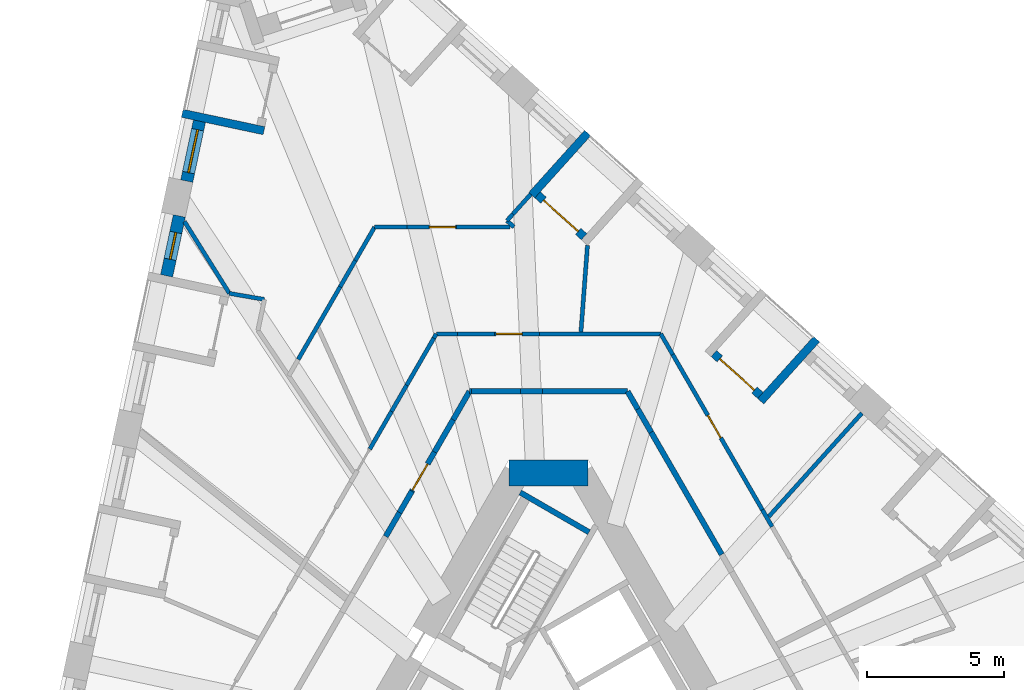
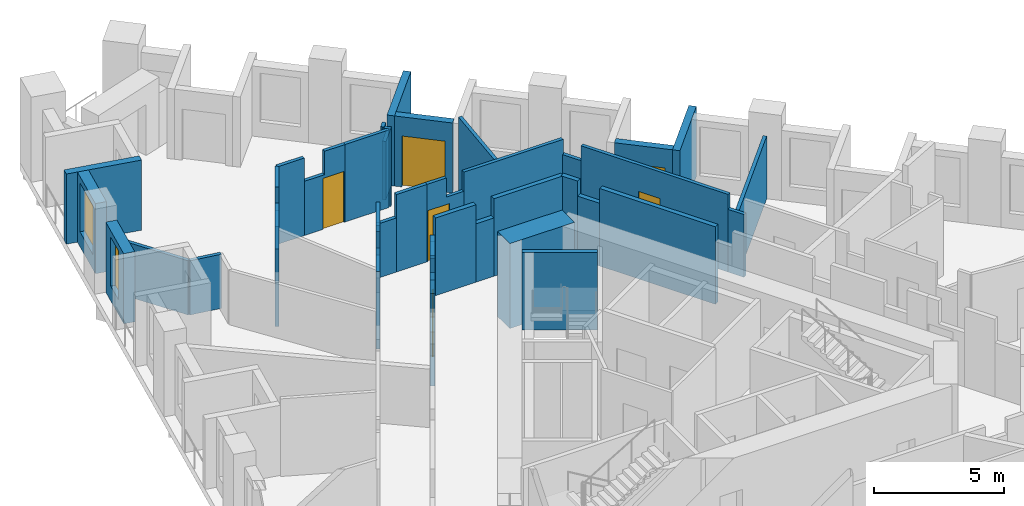
# One storey, part 8 of 13: 45 walls, 6 doors, 2 windows, 8 openings.
"""IFC4 building model written with IfcOpenShell, lengths in metres."""

from ifc_helpers import new_model, si_unit, direction, frame, frame_2d, origin, place, context, subcontext, project, spatial, polyline, rectangle, outline, extrude, material, layer, layer_set, type_object, element, fill, save


model = new_model("IFC4")

# Units and contexts
model_context = context("Model", 3, precision=1e-05, world=origin(), true_north=direction((0.0, 1.0)))
body_context = subcontext(model_context, "Body", "Model", "MODEL_VIEW")
ifc_project = project(units=[si_unit("LENGTHUNIT", "METRE"), si_unit("AREAUNIT", "SQUARE_METRE"), si_unit("VOLUMEUNIT", "CUBIC_METRE"), si_unit("PLANEANGLEUNIT", "RADIAN"), si_unit("MASSUNIT", "GRAM", prefix="KILO")], contexts=[model_context])

# Site, building, storey
site_placement = place(None, origin())
site = spatial("IfcSite", under=ifc_project, at=site_placement, CompositionType="ELEMENT")
building_placement = place(site_placement, origin())
building = spatial("IfcBuilding", under=site, at=building_placement, Name="Tramontana Tower", CompositionType="ELEMENT")
storey_placement = place(building_placement, frame((0.0, 0.0, 112.39990234375)))
storey = spatial("IfcBuildingStorey", under=building, at=storey_placement, Name="L25", CompositionType="ELEMENT", Elevation=112.39990234375)

# Walls
ifc_material_1 = material(Name="Concrete 70 MPa", Category="concrete")
ifc_layer_1 = layer(ifc_material_1, 0.949951171875)
ifc_layer_set_1 = layer_set([ifc_layer_1], Name="Core wall 950 70 MPa")
wall_type_1 = type_object("IfcWallType", Name="Core wall 950 70 MPa", PredefinedType="SHEAR", material=ifc_layer_set_1)
wall_1_placement = place(storey_placement, frame((1.443359375, 10.52490234375, 0.0), z_axis=(0.0, 0.0, 1.0), x_axis=(-1.0, 0.0, 0.0)))
element("IfcWall", 1, at=wall_1_placement, inside=storey, type_object=wall_type_1, Name="Core wall C0 L25", PredefinedType="SHEAR", context=body_context, shape_type="SweptSolid", body=[
    extrude(rectangle(XDim=2.88671875, YDim=0.949951171875, at=frame_2d((1.443359375, 0.0))), origin(), (0.0, 0.0, 1.0), 4.0),
])
ifc_material_2 = material(Name="Blockwork", Category="masonry")
ifc_layer_2 = layer(ifc_material_2, 0.199951171875)
ifc_layer_set_2 = layer_set([ifc_layer_2], Name="ENTRY WALL 200")
wall_type_2 = type_object("IfcWallType", Name="ENTRY WALL 200", PredefinedType="SOLIDWALL", material=ifc_layer_set_2)
wall_2_placement = place(storey_placement, frame((2.88671875, 13.5, 0.0), z_axis=(0.0, 0.0, 1.0), x_axis=(0.499987686533, -0.866032512851, 0.0)))
element("IfcWall", 2, at=wall_2_placement, inside=storey, type_object=wall_type_2, Name="Wall v22-ew0-0", PredefinedType="SOLIDWALL", context=body_context, shape_type="SweptSolid", body=[
    extrude(rectangle(XDim=0.74365234375, YDim=0.199951171875, at=frame_2d((0.371826171875, 0.0))), origin(), (0.0, 0.0, 1.0), 3.650146484375),
])
wall_3_placement = place(storey_placement, frame((3.258544921875, 12.85595703125, 0.0), z_axis=(0.0, 0.0, 1.0), x_axis=(0.500061185694, -0.865990075325, 0.0)))
element("IfcWall", 3, at=wall_3_placement, inside=storey, type_object=wall_type_2, Name="Wall v22-ew0-1", PredefinedType="SOLIDWALL", context=body_context, shape_type="SweptSolid", body=[
    extrude(rectangle(XDim=0.9775390625, YDim=0.199951171875, at=frame_2d((0.48876953125, 0.0))), origin(), (0.0, 0.0, 1.0), 2.9501953125),
])
wall_4_placement = place(storey_placement, frame((3.747314453125, 12.009521484375, 0.0), z_axis=(0.0, 0.0, 1.0), x_axis=(0.500001317485, -0.866024643133, 0.0)))
element("IfcWall", 4, at=wall_4_placement, inside=storey, type_object=wall_type_2, Name="Wall v22-ew0-2", PredefinedType="SOLIDWALL", context=body_context, shape_type="SweptSolid", body=[
    extrude(rectangle(XDim=5.1533203125, YDim=0.199951171875, at=frame_2d((2.57666015625, 0.0))), origin(), (0.0, 0.0, 1.0), 3.650146484375),
])
wall_5_placement = place(storey_placement, frame((-5.944091796875, 8.20458984375, 0.0), z_axis=(0.0, 0.0, 1.0), x_axis=(0.500051323872, 0.865995769906, 0.0)))
element("IfcWall", 5, at=wall_5_placement, inside=storey, type_object=wall_type_2, Name="Wall v22-ew4-7", PredefinedType="SOLIDWALL", context=body_context, shape_type="SweptSolid", body=[
    extrude(rectangle(XDim=1.0068359375, YDim=0.199951171875, at=frame_2d((0.50341796875, 0.0))), origin(), (0.0, 0.0, 1.0), 2.550048828125),
])
wall_6_placement = place(storey_placement, frame((-5.440673828125, 9.076416015625, 0.0), z_axis=(0.0, 0.0, 1.0), x_axis=(0.499902469156, 0.866081705922, 0.0)))
element("IfcWall", 6, at=wall_6_placement, inside=storey, type_object=wall_type_2, Name="Wall v22-ew4-8", PredefinedType="SOLIDWALL", context=body_context, shape_type="SweptSolid", body=[
    extrude(rectangle(XDim=0.900146484375, YDim=0.199951171875, at=frame_2d((0.4501953125, 0.0))), origin(), (0.0, 0.0, 1.0), 3.650146484375),
])

# Wall, opening, door
wall_7_placement = place(storey_placement, frame((-4.99072265625, 9.85595703125, 0.0), z_axis=(0.0, 0.0, 1.0), x_axis=(0.500088396166, 0.865974362219, 0.0)))
wall_7 = element("IfcWall", 7, at=wall_7_placement, inside=storey, type_object=wall_type_2, Name="Wall v22-ew4-9", PredefinedType="SOLIDWALL", context=body_context, shape_type="SweptSolid", body=[
    extrude(outline(polyline([(0.0, 0.0), (1.655517578125, 0.0), (1.655517578125, 2.550048828125), (0.519287109375, 2.550048828125), (0.519287109375, 3.650146484375), (0.0, 3.650146484375), (0.0, 0.0)])), frame((0.0, 0.10009765625, 0.0), z_axis=(0.0, -1.0, 0.0), x_axis=(1.0, 0.0, 0.0)), (0.0, 0.0, 1.0), 0.199951171875),
])
opening_1_placement = place(wall_7_placement, frame((0.050048828125, 0.0, 0.0)))
opening_1 = element("IfcOpeningElement", 8, at=opening_1_placement, cuts=wall_7, Name="Opening B2C-22", PredefinedType="OPENING", context=body_context, shape_type="SweptSolid", body=[
    extrude(rectangle(XDim=1.10009765625, YDim=2.39990234375, at=frame_2d((0.550048828125, 1.199951171875))), frame((0.0, 0.10986328125, 0.0), z_axis=(0.0, -1.0, 0.0), x_axis=(1.0, 0.0, 0.0)), (0.0, 0.0, 1.0), 0.219970703125),
])
ifc_material_3 = material(Name="Painted timber", Category="wood")
door_type_1 = type_object("IfcDoorType", Name="DOOR ENTRY 1100", OperationType="SINGLE_SWING_LEFT", PredefinedType="DOOR", material=ifc_material_3)
door_1_placement = place(opening_1_placement, origin())
door_1 = element("IfcDoor", 9, at=door_1_placement, inside=storey, type_object=door_type_1, Name="Door B2C-22", OperationType="SINGLE_SWING_RIGHT", OverallHeight=2.39990234375, OverallWidth=1.10009765625, PredefinedType="DOOR", context=body_context, shape_type="SweptSolid", body=[
    extrude(rectangle(XDim=1.10009765625, YDim=2.39990234375, at=frame_2d((0.550048828125, 1.199951171875))), frame((0.0, 0.02490234375, 0.0), z_axis=(0.0, -1.0, 0.0), x_axis=(1.0, 0.0, 0.0)), (0.0, 0.0, 1.0), 0.050048828125),
])
fill(opening_1, door_1)

# Walls
wall_8_placement = place(storey_placement, frame((-4.162841796875, 11.28955078125, 0.0), z_axis=(0.0, 0.0, 1.0), x_axis=(0.499903734186, 0.866080975745, 0.0)))
element("IfcWall", 10, at=wall_8_placement, inside=storey, type_object=wall_type_2, Name="Wall v22-ew4-10", PredefinedType="SOLIDWALL", context=body_context, shape_type="SweptSolid", body=[
    extrude(rectangle(XDim=1.360107421875, YDim=0.199951171875, at=frame_2d((0.68017578125, 0.0))), origin(), (0.0, 0.0, 1.0), 3.650146484375),
])
wall_9_placement = place(storey_placement, frame((-3.48291015625, 12.467529296875, 0.0), z_axis=(0.0, 0.0, 1.0), x_axis=(0.500059236744, 0.865991200733, 0.0)))
element("IfcWall", 11, at=wall_9_placement, inside=storey, type_object=wall_type_2, Name="Wall v22-ew4-11", PredefinedType="SOLIDWALL", context=body_context, shape_type="SweptSolid", body=[
    extrude(rectangle(XDim=1.192138671875, YDim=0.199951171875, at=frame_2d((0.59619140625, 0.0))), origin(), (0.0, 0.0, 1.0), 2.550048828125),
])
wall_10_placement = place(storey_placement, frame((-2.88671875, 13.5, 0.0), z_axis=(0.0, 0.0, 1.0), x_axis=(1.0, 0.0, 0.0)))
element("IfcWall", 12, at=wall_10_placement, inside=storey, type_object=wall_type_2, Name="Wall v22-ew5-0", PredefinedType="SOLIDWALL", context=body_context, shape_type="SweptSolid", body=[
    extrude(rectangle(XDim=0.079833984375, YDim=0.199951171875, at=frame_2d((0.0400390625, 0.0))), origin(), (0.0, 0.0, 1.0), 2.550048828125),
])
wall_11_placement = place(storey_placement, frame((-2.806884765625, 13.5, 0.0), z_axis=(0.0, 0.0, 1.0), x_axis=(1.0, 0.0, 0.0)))
element("IfcWall", 13, at=wall_11_placement, inside=storey, type_object=wall_type_2, Name="Wall v22-ew5-1", PredefinedType="SOLIDWALL", context=body_context, shape_type="SweptSolid", body=[
    extrude(rectangle(XDim=1.7880859375, YDim=0.199951171875, at=frame_2d((0.89404296875, 0.0))), origin(), (0.0, 0.0, 1.0), 3.650146484375),
])
wall_12_placement = place(storey_placement, frame((-1.018798828125, 13.5, 0.0), z_axis=(0.0, 0.0, 1.0), x_axis=(1.0, 0.0, 0.0)))
element("IfcWall", 14, at=wall_12_placement, inside=storey, type_object=wall_type_2, Name="Wall v22-ew5-2", PredefinedType="SOLIDWALL", context=body_context, shape_type="SweptSolid", body=[
    extrude(rectangle(XDim=0.80078125, YDim=0.199951171875, at=frame_2d((0.400390625, 0.0))), origin(), (0.0, 0.0, 1.0), 2.75),
])
wall_13_placement = place(storey_placement, frame((-0.218017578125, 13.5, 0.0), z_axis=(0.0, 0.0, 1.0), x_axis=(1.0, 0.0, 0.0)))
element("IfcWall", 15, at=wall_13_placement, inside=storey, type_object=wall_type_2, Name="Wall v22-ew5-3", PredefinedType="SOLIDWALL", context=body_context, shape_type="SweptSolid", body=[
    extrude(rectangle(XDim=3.104736328125, YDim=0.199951171875, at=frame_2d((1.55224609375, 0.0))), origin(), (0.0, 0.0, 1.0), 3.650146484375),
])

# Wall, opening, window
ifc_material_4 = material(Name="Precast concrete 60 MPa", Category="concrete")
ifc_layer_3 = layer(ifc_material_4, 0.449951171875)
ifc_layer_set_3 = layer_set([ifc_layer_3], Name="Precast concrete 60 MPa, 450 mm")
wall_type_3 = type_object("IfcWallType", Name="EW1 Stone-faced precast wall 450", PredefinedType="SOLIDWALL", material=ifc_layer_set_3)
wall_14_placement = place(storey_placement, frame((-12.7451171875, 23.36767578125, 0.0), z_axis=(0.0, 0.0, 1.0), x_axis=(-0.207941001029, -0.978141370197, 0.0)))
wall_14 = element("IfcWall", 16, at=wall_14_placement, inside=storey, type_object=wall_type_3, Name="External wall L25 face 0 bay 1", PredefinedType="SOLIDWALL", context=body_context, shape_type="SweptSolid", body=[
    extrude(rectangle(XDim=2.236572265625, YDim=0.449951171875, at=frame_2d((1.1181640625, 0.0))), origin(), (0.0, 0.0, 1.0), 3.300048828125),
])
opening_2_placement = place(wall_14_placement, frame((0.318359375, 0.0, 0.699951171875)))
opening_2 = element("IfcOpeningElement", 17, at=opening_2_placement, cuts=wall_14, Name="Opening M1", PredefinedType="OPENING", context=body_context, shape_type="SweptSolid", body=[
    extrude(rectangle(XDim=1.60009765625, YDim=2.300048828125, at=frame_2d((0.800048828125, 1.14990234375))), frame((0.0, 0.23486328125, 0.0), z_axis=(0.0, -1.0, 0.0), x_axis=(1.0, 0.0, 0.0)), (0.0, 0.0, 1.0), 0.469970703125),
])
ifc_material_5 = material(Name="Aluminum frame, double glazing unit", Category="aluminium")
window_type_1 = type_object("IfcWindowType", Name="M1 Window 1.6 x 2.3", PartitioningType="SINGLE_PANEL", PredefinedType="WINDOW", material=ifc_material_5)
window_1_placement = place(opening_2_placement, origin())
window_1 = element("IfcWindow", 18, at=window_1_placement, inside=storey, type_object=window_type_1, Name="Window M1 L25 face 0 module 3", OverallHeight=2.300048828125, OverallWidth=1.60009765625, PartitioningType="SINGLE_PANEL", PredefinedType="WINDOW", context=body_context, shape_type="SweptSolid", body=[
    extrude(rectangle(XDim=1.60009765625, YDim=2.300048828125, at=frame_2d((0.800048828125, 1.14990234375))), frame((0.0, 0.030029296875, 0.0), z_axis=(0.0, -1.0, 0.0), x_axis=(1.0, 0.0, 0.0)), (0.0, 0.0, 1.0), 0.06005859375),
])
fill(opening_2, window_1)

wall_15_placement = place(storey_placement, frame((-13.48046875, 19.908203125, 0.0), z_axis=(0.0, 0.0, 1.0), x_axis=(-0.207941001029, -0.978141370197, 0.0)))
wall_15 = element("IfcWall", 19, at=wall_15_placement, inside=storey, type_object=wall_type_3, Name="External wall L25 face 0 bay 2", PredefinedType="SOLIDWALL", context=body_context, shape_type="SweptSolid", body=[
    extrude(rectangle(XDim=2.236572265625, YDim=0.449951171875, at=frame_2d((1.1181640625, 0.0))), origin(), (0.0, 0.0, 1.0), 3.300048828125),
])
opening_3_placement = place(wall_15_placement, frame((0.618408203125, 0.0, 0.699951171875)))
opening_3 = element("IfcOpeningElement", 20, at=opening_3_placement, cuts=wall_15, Name="Opening N1", PredefinedType="OPENING", context=body_context, shape_type="SweptSolid", body=[
    extrude(rectangle(XDim=1.0, YDim=2.300048828125, at=frame_2d((0.5, 1.14990234375))), frame((0.0, 0.23486328125, 0.0), z_axis=(0.0, -1.0, 0.0), x_axis=(1.0, 0.0, 0.0)), (0.0, 0.0, 1.0), 0.469970703125),
])
ifc_material_6 = material(Name="Aluminum frame, double glazing unit", Category="aluminium")
window_type_2 = type_object("IfcWindowType", Name="N1 Window 1 x 2.3", PartitioningType="SINGLE_PANEL", PredefinedType="WINDOW", material=ifc_material_6)
window_2_placement = place(opening_3_placement, origin())
window_2 = element("IfcWindow", 21, at=window_2_placement, inside=storey, type_object=window_type_2, Name="Window N1 L25 face 0 module 4", OverallHeight=2.300048828125, OverallWidth=1.0, PartitioningType="SINGLE_PANEL", PredefinedType="WINDOW", context=body_context, shape_type="SweptSolid", body=[
    extrude(rectangle(XDim=1.0, YDim=2.300048828125, at=frame_2d((0.5, 1.14990234375))), frame((0.0, 0.030029296875, 0.0), z_axis=(0.0, -1.0, 0.0), x_axis=(1.0, 0.0, 0.0)), (0.0, 0.0, 1.0), 0.06005859375),
])
fill(opening_3, window_2)

# Wall
ifc_material_7 = material(Name="Precast concrete 60 MPa", Category="concrete")
ifc_layer_4 = layer(ifc_material_7, 0.300048828125)
ifc_layer_set_4 = layer_set([ifc_layer_4], Name="LW1 Stone-faced loggia wall 300")
wall_type_4 = type_object("IfcWallType", Name="LW1 Stone-faced loggia wall 300", PredefinedType="SOLIDWALL", material=ifc_layer_set_4)
wall_16_placement = place(storey_placement, frame((-13.3740234375, 23.65478515625, 0.0), z_axis=(0.0, 0.0, 1.0), x_axis=(0.978151322619, -0.207894179953, 0.0)))
element("IfcWall", 22, at=wall_16_placement, inside=storey, type_object=wall_type_4, Name="Loggia return L25 G2S0.1b", PredefinedType="SOLIDWALL", context=body_context, shape_type="SweptSolid", body=[
    extrude(rectangle(XDim=3.0498046875, YDim=0.300048828125, at=frame_2d((1.52490234375, 0.0))), origin(), (0.0, 0.0, 1.0), 3.300048828125),
])

# Wall, opening, door
wall_17_placement = place(storey_placement, frame((7.735595703125, 13.353759765625, 0.0), z_axis=(0.0, 0.0, 1.0), x_axis=(-0.743081759278, 0.669200641832, 0.0)))
wall_17 = element("IfcWall", 23, at=wall_17_placement, inside=storey, type_object=wall_type_4, Name="Loggia wall L25 G2S2.10", PredefinedType="SOLIDWALL", context=body_context, shape_type="SweptSolid", body=[
    extrude(rectangle(XDim=2.28662109375, YDim=0.300048828125, at=frame_2d((1.143310546875, 0.0))), origin(), (0.0, 0.0, 1.0), 3.300048828125),
])
opening_4_placement = place(wall_17_placement, frame((0.29345703125, 0.0, 0.0)))
opening_4 = element("IfcOpeningElement", 24, at=opening_4_placement, cuts=wall_17, Name="Opening BD-2S2-10", PredefinedType="OPENING", context=body_context, shape_type="SweptSolid", body=[
    extrude(rectangle(XDim=1.699951171875, YDim=2.39990234375, at=frame_2d((0.85009765625, 1.199951171875))), frame((0.0, 0.159912109375, 0.0), z_axis=(0.0, -1.0, 0.0), x_axis=(1.0, 0.0, 0.0)), (0.0, 0.0, 1.0), 0.320068359375),
])
ifc_material_8 = material(Name="Aluminum frame, double glazing unit", Category="aluminium")
door_type_2 = type_object("IfcDoorType", Name="BD1 Sliding door 1.7 x 2.4", OperationType="SLIDING_TO_LEFT", PredefinedType="DOOR", material=ifc_material_8)
door_2_placement = place(opening_4_placement, origin())
door_2 = element("IfcDoor", 25, at=door_2_placement, inside=storey, type_object=door_type_2, Name="Loggia door L25 G2S2.10", OperationType="SLIDING_TO_LEFT", OverallHeight=2.39990234375, OverallWidth=1.699951171875, PredefinedType="DOOR", context=body_context, shape_type="SweptSolid", body=[
    extrude(rectangle(XDim=1.699951171875, YDim=2.39990234375, at=frame_2d((0.85009765625, 1.199951171875))), frame((0.0, 0.02490234375, 0.0), z_axis=(0.0, -1.0, 0.0), x_axis=(1.0, 0.0, 0.0)), (0.0, 0.0, 1.0), 0.050048828125),
])
fill(opening_4, door_2)

# Wall
wall_18_placement = place(storey_placement, frame((9.78759765625, 15.40869140625, 0.0), z_axis=(0.0, 0.0, 1.0), x_axis=(-0.669115082961, -0.743158802514, 0.0)))
element("IfcWall", 26, at=wall_18_placement, inside=storey, type_object=wall_type_4, Name="Loggia return L25 G2S2.10a", PredefinedType="SOLIDWALL", context=body_context, shape_type="SweptSolid", body=[
    extrude(rectangle(XDim=3.050048828125, YDim=0.300048828125, at=frame_2d((1.52490234375, 0.0))), origin(), (0.0, 0.0, 1.0), 3.300048828125),
])

# Wall, opening, door
wall_19_placement = place(storey_placement, frame((1.2998046875, 19.148681640625, 0.0), z_axis=(0.0, 0.0, 1.0), x_axis=(-0.743182653308, 0.669088591909, 0.0)))
wall_19 = element("IfcWall", 27, at=wall_19_placement, inside=storey, type_object=wall_type_4, Name="Loggia wall L25 G2S2.13", PredefinedType="SOLIDWALL", context=body_context, shape_type="SweptSolid", body=[
    extrude(rectangle(XDim=2.28662109375, YDim=0.300048828125, at=frame_2d((1.143310546875, 0.0))), origin(), (0.0, 0.0, 1.0), 3.300048828125),
])
opening_5_placement = place(wall_19_placement, frame((0.29345703125, 0.0, 0.0)))
opening_5 = element("IfcOpeningElement", 28, at=opening_5_placement, cuts=wall_19, Name="Opening BD-2S2-13", PredefinedType="OPENING", context=body_context, shape_type="SweptSolid", body=[
    extrude(rectangle(XDim=1.699951171875, YDim=2.39990234375, at=frame_2d((0.85009765625, 1.199951171875))), frame((0.0, 0.159912109375, 0.0), z_axis=(0.0, -1.0, 0.0), x_axis=(1.0, 0.0, 0.0)), (0.0, 0.0, 1.0), 0.320068359375),
])
door_3_placement = place(opening_5_placement, origin())
door_3 = element("IfcDoor", 29, at=door_3_placement, inside=storey, type_object=door_type_2, Name="Loggia door L25 G2S2.13", OperationType="SLIDING_TO_LEFT", OverallHeight=2.39990234375, OverallWidth=1.699951171875, PredefinedType="DOOR", context=body_context, shape_type="SweptSolid", body=[
    extrude(rectangle(XDim=1.699951171875, YDim=2.39990234375, at=frame_2d((0.85009765625, 1.199951171875))), frame((0.0, 0.02490234375, 0.0), z_axis=(0.0, -1.0, 0.0), x_axis=(1.0, 0.0, 0.0)), (0.0, 0.0, 1.0), 0.050048828125),
])
fill(opening_5, door_3)

# Walls
wall_20_placement = place(storey_placement, frame((1.429443359375, 22.934326171875, 0.0), z_axis=(0.0, 0.0, 1.0), x_axis=(-0.669115082961, -0.743158802514, 0.0)))
element("IfcWall", 30, at=wall_20_placement, inside=storey, type_object=wall_type_4, Name="Loggia return L25 G2S2.13b", PredefinedType="SOLIDWALL", context=body_context, shape_type="SweptSolid", body=[
    extrude(rectangle(XDim=3.050048828125, YDim=0.300048828125, at=frame_2d((1.52490234375, 0.0))), origin(), (0.0, 0.0, 1.0), 3.300048828125),
])
ifc_material_9 = material(Name="Gypsum board partition")
ifc_layer_5 = layer(ifc_material_9, 0.14990234375)
ifc_layer_set_5 = layer_set([ifc_layer_5], Name="PARTITION 150")
wall_type_5 = type_object("IfcWallType", Name="PARTITION 150", PredefinedType="PARTITIONING", material=ifc_layer_set_5)
wall_21_placement = place(storey_placement, frame((-6.525146484375, 11.39794921875, 0.0), z_axis=(0.0, 0.0, 1.0), x_axis=(0.500015802937, 0.866016279763, 0.0)))
element("IfcWall", 31, at=wall_21_placement, inside=storey, type_object=wall_type_5, Name="Wall v22-pw04-7", PredefinedType="PARTITIONING", context=body_context, shape_type="SweptSolid", body=[
    extrude(rectangle(XDim=1.5849609375, YDim=0.14990234375, at=frame_2d((0.79248046875, 0.0))), origin(), (0.0, 0.0, 1.0), 3.650146484375),
])
wall_22_placement = place(storey_placement, frame((-5.732666015625, 12.7705078125, 0.0), z_axis=(0.0, 0.0, 1.0), x_axis=(0.499894629757, 0.866086230776, 0.0)))
element("IfcWall", 32, at=wall_22_placement, inside=storey, type_object=wall_type_5, Name="Wall v22-pw04-8", PredefinedType="PARTITIONING", context=body_context, shape_type="SweptSolid", body=[
    extrude(rectangle(XDim=1.104736328125, YDim=0.14990234375, at=frame_2d((0.55224609375, 0.0))), origin(), (0.0, 0.0, 1.0), 2.550048828125),
])
wall_23_placement = place(storey_placement, frame((-5.180419921875, 13.727294921875, 0.0), z_axis=(0.0, 0.0, 1.0), x_axis=(0.500024883228, 0.866011036969, 0.0)))
element("IfcWall", 33, at=wall_23_placement, inside=storey, type_object=wall_type_5, Name="Wall v22-pw04-9", PredefinedType="PARTITIONING", context=body_context, shape_type="SweptSolid", body=[
    extrude(rectangle(XDim=1.97998046875, YDim=0.14990234375, at=frame_2d((0.989990234375, 0.0))), origin(), (0.0, 0.0, 1.0), 3.650146484375),
])
wall_24_placement = place(storey_placement, frame((-4.1904296875, 15.44189453125, 0.0), z_axis=(0.0, 0.0, 1.0), x_axis=(0.50045593687, 0.865762008436, 0.0)))
element("IfcWall", 34, at=wall_24_placement, inside=storey, type_object=wall_type_5, Name="Wall v22-pw04-10", PredefinedType="PARTITIONING", context=body_context, shape_type="SweptSolid", body=[
    extrude(rectangle(XDim=0.182373046875, YDim=0.14990234375, at=frame_2d((0.09130859375, 0.0))), origin(), (0.0, 0.0, 1.0), 2.550048828125),
])
wall_25_placement = place(storey_placement, frame((-11.653564453125, 17.079833984375, 0.0), z_axis=(0.0, 0.0, 1.0), x_axis=(-0.530027307021, 0.847980573959, 0.0)))
element("IfcWall", 35, at=wall_25_placement, inside=storey, type_object=wall_type_5, Name="Wall v22-pw08-0", PredefinedType="PARTITIONING", context=body_context, shape_type="SweptSolid", body=[
    extrude(rectangle(XDim=3.094482421875, YDim=0.14990234375, at=frame_2d((1.54736328125, 0.0))), origin(), (0.0, 0.0, 1.0), 2.550048828125),
])
wall_26_placement = place(storey_placement, frame((-10.373291015625, 16.859130859375, 0.0), z_axis=(0.0, 0.0, 1.0), x_axis=(-0.985464455429, 0.169881744414, 0.0)))
element("IfcWall", 36, at=wall_26_placement, inside=storey, type_object=wall_type_5, Name="Wall v22-pw11-0", PredefinedType="PARTITIONING", context=body_context, shape_type="SweptSolid", body=[
    extrude(rectangle(XDim=1.299072265625, YDim=0.14990234375, at=frame_2d((0.6494140625, 0.0))), origin(), (0.0, 0.0, 1.0), 2.550048828125),
])
wall_27_placement = place(storey_placement, frame((-9.14013671875, 14.6689453125, 0.0), z_axis=(0.0, 0.0, 1.0), x_axis=(0.500037354383, 0.866003836147, 0.0)))
element("IfcWall", 37, at=wall_27_placement, inside=storey, type_object=wall_type_5, Name="Wall v22-pw13-1", PredefinedType="PARTITIONING", context=body_context, shape_type="SweptSolid", body=[
    extrude(rectangle(XDim=3.064697265625, YDim=0.14990234375, at=frame_2d((1.5322265625, 0.0))), origin(), (0.0, 0.0, 1.0), 3.650146484375),
])
wall_28_placement = place(storey_placement, frame((-7.607666015625, 17.322998046875, 0.0), z_axis=(0.0, 0.0, 1.0), x_axis=(0.499894629757, 0.866086230776, 0.0)))
element("IfcWall", 38, at=wall_28_placement, inside=storey, type_object=wall_type_5, Name="Wall v22-pw13-2", PredefinedType="PARTITIONING", context=body_context, shape_type="SweptSolid", body=[
    extrude(rectangle(XDim=1.104736328125, YDim=0.14990234375, at=frame_2d((0.55224609375, 0.0))), origin(), (0.0, 0.0, 1.0), 2.550048828125),
])
wall_29_placement = place(storey_placement, frame((-7.055419921875, 18.27978515625, 0.0), z_axis=(0.0, 0.0, 1.0), x_axis=(0.500052415518, 0.865995139556, 0.0)))
element("IfcWall", 39, at=wall_29_placement, inside=storey, type_object=wall_type_5, Name="Wall v22-pw13-3", PredefinedType="PARTITIONING", context=body_context, shape_type="SweptSolid", body=[
    extrude(rectangle(XDim=1.408935546875, YDim=0.14990234375, at=frame_2d((0.70458984375, 0.0))), origin(), (0.0, 0.0, 1.0), 3.650146484375),
])
wall_30_placement = place(storey_placement, frame((-6.350830078125, 19.5, 0.0), z_axis=(0.0, 0.0, 1.0), x_axis=(1.0, 0.0, 0.0)))
element("IfcWall", 40, at=wall_30_placement, inside=storey, type_object=wall_type_5, Name="Wall v22-pw22-0", PredefinedType="PARTITIONING", context=body_context, shape_type="SweptSolid", body=[
    extrude(rectangle(XDim=1.177490234375, YDim=0.14990234375, at=frame_2d((0.5888671875, 0.0))), origin(), (0.0, 0.0, 1.0), 3.650146484375),
])

# Wall, opening, door
wall_31_placement = place(storey_placement, frame((-5.17333984375, 19.5, 0.0), z_axis=(0.0, 0.0, 1.0), x_axis=(1.0, 0.0, 0.0)))
wall_31 = element("IfcWall", 41, at=wall_31_placement, inside=storey, type_object=wall_type_5, Name="Wall v22-pw22-1", PredefinedType="PARTITIONING", context=body_context, shape_type="SweptSolid", body=[
    extrude(outline(polyline([(0.0, 0.0), (1.82177734375, 0.0), (1.82177734375, 3.650146484375), (0.900390625, 3.650146484375), (0.900390625, 2.550048828125), (0.0, 2.550048828125), (0.0, 0.0)])), frame((0.0, 0.074951171875, 0.0), z_axis=(0.0, -1.0, 0.0), x_axis=(1.0, 0.0, 0.0)), (0.0, 0.0, 1.0), 0.14990234375),
])
opening_6_placement = place(wall_31_placement, frame((0.82177734375, 0.0, 0.0)))
opening_6 = element("IfcOpeningElement", 42, at=opening_6_placement, cuts=wall_31, Name="Opening B2C-21", PredefinedType="OPENING", context=body_context, shape_type="SweptSolid", body=[
    extrude(rectangle(XDim=0.949951171875, YDim=2.39990234375, at=frame_2d((0.47509765625, 1.199951171875))), frame((0.0, 0.0849609375, 0.0), z_axis=(0.0, -1.0, 0.0), x_axis=(1.0, 0.0, 0.0)), (0.0, 0.0, 1.0), 0.169921875),
])
ifc_material_10 = material(Name="Painted timber", Category="wood")
door_type_3 = type_object("IfcDoorType", Name="DOOR ROOM 950", OperationType="SINGLE_SWING_LEFT", PredefinedType="DOOR", material=ifc_material_10)
door_4_placement = place(opening_6_placement, origin())
door_4 = element("IfcDoor", 43, at=door_4_placement, inside=storey, type_object=door_type_3, Name="Door B2C-21", OperationType="SINGLE_SWING_LEFT", OverallHeight=2.39990234375, OverallWidth=0.949951171875, PredefinedType="DOOR", context=body_context, shape_type="SweptSolid", body=[
    extrude(rectangle(XDim=0.949951171875, YDim=2.39990234375, at=frame_2d((0.47509765625, 1.199951171875))), frame((0.0, 0.02490234375, 0.0), z_axis=(0.0, -1.0, 0.0), x_axis=(1.0, 0.0, 0.0)), (0.0, 0.0, 1.0), 0.050048828125),
])
fill(opening_6, door_4)

# Walls
wall_32_placement = place(storey_placement, frame((-3.3515625, 19.5, 0.0), z_axis=(0.0, 0.0, 1.0), x_axis=(1.0, 0.0, 0.0)))
element("IfcWall", 44, at=wall_32_placement, inside=storey, type_object=wall_type_5, Name="Wall v22-pw22-2", PredefinedType="PARTITIONING", context=body_context, shape_type="SweptSolid", body=[
    extrude(rectangle(XDim=1.948974609375, YDim=0.14990234375, at=frame_2d((0.974609375, 0.0))), origin(), (0.0, 0.0, 1.0), 3.650146484375),
])
wall_33_placement = place(storey_placement, frame((-4.09912109375, 15.60009765625, 0.0), z_axis=(0.0, 0.0, 1.0), x_axis=(1.0, 0.0, 0.0)))
element("IfcWall", 45, at=wall_33_placement, inside=storey, type_object=wall_type_5, Name="Wall v22-pw24-0", PredefinedType="PARTITIONING", context=body_context, shape_type="SweptSolid", body=[
    extrude(rectangle(XDim=0.770751953125, YDim=0.14990234375, at=frame_2d((0.38525390625, 0.0))), origin(), (0.0, 0.0, 1.0), 2.550048828125),
])
wall_34_placement = place(storey_placement, frame((-3.328369140625, 15.60009765625, 0.0), z_axis=(0.0, 0.0, 1.0), x_axis=(1.0, 0.0, 0.0)))
element("IfcWall", 46, at=wall_34_placement, inside=storey, type_object=wall_type_5, Name="Wall v22-pw24-1", PredefinedType="PARTITIONING", context=body_context, shape_type="SweptSolid", body=[
    extrude(rectangle(XDim=1.3642578125, YDim=0.14990234375, at=frame_2d((0.68212890625, 0.0))), origin(), (0.0, 0.0, 1.0), 3.650146484375),
])

# Wall, opening, door
wall_35_placement = place(storey_placement, frame((-1.964111328125, 15.60009765625, 0.0), z_axis=(0.0, 0.0, 1.0), x_axis=(1.0, 0.0, 0.0)))
wall_35 = element("IfcWall", 47, at=wall_35_placement, inside=storey, type_object=wall_type_5, Name="Wall v22-pw24-2", PredefinedType="PARTITIONING", context=body_context, shape_type="SweptSolid", body=[
    extrude(outline(polyline([(0.0, 0.0), (1.637451171875, 0.0), (1.63720703125, 2.75), (0.861572265625, 2.75), (0.861572265625, 3.650146484375), (0.0, 3.650146484375), (0.0, 0.0)])), frame((0.0, 0.074951171875, 0.0), z_axis=(0.0, -1.0, 0.0), x_axis=(1.0, 0.0, 0.0)), (0.0, 0.0, 1.0), 0.14990234375),
])
opening_7_placement = place(wall_35_placement, frame((0.050048828125, 0.0, 0.0)))
opening_7 = element("IfcOpeningElement", 48, at=opening_7_placement, cuts=wall_35, Name="Opening B2C-01", PredefinedType="OPENING", context=body_context, shape_type="SweptSolid", body=[
    extrude(rectangle(XDim=0.949951171875, YDim=2.39990234375, at=frame_2d((0.47509765625, 1.199951171875))), frame((0.0, 0.0849609375, 0.0), z_axis=(0.0, -1.0, 0.0), x_axis=(1.0, 0.0, 0.0)), (0.0, 0.0, 1.0), 0.169921875),
])
door_5_placement = place(opening_7_placement, origin())
door_5 = element("IfcDoor", 49, at=door_5_placement, inside=storey, type_object=door_type_3, Name="Door B2C-01", OperationType="SINGLE_SWING_LEFT", OverallHeight=2.39990234375, OverallWidth=0.949951171875, PredefinedType="DOOR", context=body_context, shape_type="SweptSolid", body=[
    extrude(rectangle(XDim=0.949951171875, YDim=2.39990234375, at=frame_2d((0.47509765625, 1.199951171875))), frame((0.0, 0.02490234375, 0.0), z_axis=(0.0, -1.0, 0.0), x_axis=(1.0, 0.0, 0.0)), (0.0, 0.0, 1.0), 0.050048828125),
])
fill(opening_7, door_5)

# Walls
wall_36_placement = place(storey_placement, frame((-0.32666015625, 15.60009765625, 0.0), z_axis=(0.0, 0.0, 1.0), x_axis=(1.0, 0.0, 0.0)))
element("IfcWall", 50, at=wall_36_placement, inside=storey, type_object=wall_type_5, Name="Wall v22-pw24-3", PredefinedType="PARTITIONING", context=body_context, shape_type="SweptSolid", body=[
    extrude(rectangle(XDim=4.42578125, YDim=0.14990234375, at=frame_2d((2.212890625, 0.0))), origin(), (0.0, 0.0, 1.0), 3.650146484375),
])
wall_37_placement = place(storey_placement, frame((-1.518310546875, 19.735107421875, 0.0), z_axis=(0.0, 0.0, 1.0), x_axis=(0.668964731622, 0.743294146247, 0.0)))
element("IfcWall", 51, at=wall_37_placement, inside=storey, type_object=wall_type_5, Name="Wall v22-pw26-0", PredefinedType="PARTITIONING", context=body_context, shape_type="SweptSolid", body=[
    extrude(rectangle(XDim=0.32177734375, YDim=0.14990234375, at=frame_2d((0.160888671875, 0.0))), origin(), (0.0, 0.0, 1.0), 3.650146484375),
])
wall_38_placement = place(storey_placement, frame((-1.302978515625, 19.974365234375, 0.0), z_axis=(0.0, 0.0, 1.0), x_axis=(0.669061275598, 0.743207245319, 0.0)))
element("IfcWall", 52, at=wall_38_placement, inside=storey, type_object=wall_type_5, Name="Wall v22-pw26-1", PredefinedType="PARTITIONING", context=body_context, shape_type="SweptSolid", body=[
    extrude(rectangle(XDim=0.97802734375, YDim=0.14990234375, at=frame_2d((0.489013671875, 0.0))), origin(), (0.0, 0.0, 1.0), 2.75),
])
wall_39_placement = place(storey_placement, frame((-1.26123046875, 19.50341796875, 0.0), z_axis=(0.0, 0.0, 1.0), x_axis=(-0.742837964983, 0.669471252392, 0.0)))
element("IfcWall", 53, at=wall_39_placement, inside=storey, type_object=wall_type_5, Name="Wall v22-pw27", PredefinedType="PARTITIONING", context=body_context, shape_type="SweptSolid", body=[
    extrude(rectangle(XDim=0.34619140625, YDim=0.14990234375, at=frame_2d((0.173095703125, 0.0))), origin(), (0.0, 0.0, 1.0), 3.650146484375),
])
wall_40_placement = place(storey_placement, frame((1.42236328125, 18.83642578125, 0.0), z_axis=(0.0, 0.0, 1.0), x_axis=(-0.075312569012, -0.997159975605, 0.0)))
element("IfcWall", 54, at=wall_40_placement, inside=storey, type_object=wall_type_5, Name="Wall v22-pw29", PredefinedType="PARTITIONING", context=body_context, shape_type="SweptSolid", body=[
    extrude(rectangle(XDim=3.17041015625, YDim=0.14990234375, at=frame_2d((1.585205078125, 0.0))), origin(), (0.0, 0.0, 1.0), 3.650146484375),
])
wall_41_placement = place(storey_placement, frame((4.09912109375, 15.599853515625, 0.0), z_axis=(0.0, 0.0, 1.0), x_axis=(0.500216765549, -0.86590021796, 0.0)))
element("IfcWall", 55, at=wall_41_placement, inside=storey, type_object=wall_type_5, Name="Wall v22-pw30-0", PredefinedType="PARTITIONING", context=body_context, shape_type="SweptSolid", body=[
    extrude(rectangle(XDim=0.869140625, YDim=0.14990234375, at=frame_2d((0.4345703125, 0.0))), origin(), (0.0, 0.0, 1.0), 2.9501953125),
])

# Wall, opening, door
wall_42_placement = place(storey_placement, frame((4.533935546875, 14.84716796875, 0.0), z_axis=(0.0, 0.0, 1.0), x_axis=(0.499992467015, -0.866029752912, 0.0)))
wall_42 = element("IfcWall", 56, at=wall_42_placement, inside=storey, type_object=wall_type_5, Name="Wall v22-pw30-1", PredefinedType="PARTITIONING", context=body_context, shape_type="SweptSolid", body=[
    extrude(rectangle(XDim=6.54833984375, YDim=0.14990234375, at=frame_2d((3.274169921875, 0.0))), origin(), (0.0, 0.0, 1.0), 3.650146484375),
])
opening_8_placement = place(wall_42_placement, frame((2.5634765625, 0.0, 0.0)))
opening_8 = element("IfcOpeningElement", 57, at=opening_8_placement, cuts=wall_42, Name="Opening B2C-03", PredefinedType="OPENING", context=body_context, shape_type="SweptSolid", body=[
    extrude(rectangle(XDim=0.949951171875, YDim=2.39990234375, at=frame_2d((0.47509765625, 1.199951171875))), frame((0.0, 0.0849609375, 0.0), z_axis=(0.0, -1.0, 0.0), x_axis=(1.0, 0.0, 0.0)), (0.0, 0.0, 1.0), 0.169921875),
])
door_6_placement = place(opening_8_placement, origin())
door_6 = element("IfcDoor", 58, at=door_6_placement, inside=storey, type_object=door_type_3, Name="Door B2C-03", OperationType="SINGLE_SWING_LEFT", OverallHeight=2.39990234375, OverallWidth=0.949951171875, PredefinedType="DOOR", context=body_context, shape_type="SweptSolid", body=[
    extrude(rectangle(XDim=0.949951171875, YDim=2.39990234375, at=frame_2d((0.47509765625, 1.199951171875))), frame((0.0, 0.02490234375, 0.0), z_axis=(0.0, -1.0, 0.0), x_axis=(1.0, 0.0, 0.0)), (0.0, 0.0, 1.0), 0.050048828125),
])
fill(opening_8, door_6)

# Walls
wall_43_placement = place(storey_placement, frame((7.80810546875, 9.176025390625, 0.0), z_axis=(0.0, 0.0, 1.0), x_axis=(0.499950805595, -0.866053804324, 0.0)))
element("IfcWall", 59, at=wall_43_placement, inside=storey, type_object=wall_type_5, Name="Wall v22-pw30-2", PredefinedType="PARTITIONING", context=body_context, shape_type="SweptSolid", body=[
    extrude(rectangle(XDim=0.70947265625, YDim=0.14990234375, at=frame_2d((0.354736328125, 0.0))), origin(), (0.0, 0.0, 1.0), 2.9501953125),
])
wall_44_placement = place(storey_placement, frame((11.442138671875, 12.707763671875, 0.0), z_axis=(0.0, 0.0, 1.0), x_axis=(-0.669134417253, -0.743141394115, 0.0)))
element("IfcWall", 60, at=wall_44_placement, inside=storey, type_object=wall_type_5, Name="Wall v22-pw34-0", PredefinedType="PARTITIONING", context=body_context, shape_type="SweptSolid", body=[
    extrude(rectangle(XDim=5.0869140625, YDim=0.14990234375, at=frame_2d((2.54345703125, 0.0))), origin(), (0.0, 0.0, 1.0), 2.9501953125),
])
ifc_material_11 = material(Name="Concrete 70 MPa", Category="concrete")
ifc_layer_6 = layer(ifc_material_11, 0.199951171875)
ifc_layer_set_6 = layer_set([ifc_layer_6], Name="Concrete 70 MPa, 200 mm")
wall_type_6 = type_object("IfcWallType", Name="RC STAIR AND SHAFT WALL 200", PredefinedType="SOLIDWALL", material=ifc_layer_set_6)
wall_45_placement = place(storey_placement, frame((1.478515625, 8.36083984375, 0.0), z_axis=(0.0, 0.0, 1.0), x_axis=(-0.866032775405, 0.499987231761, 0.0)))
element("IfcWall", 61, at=wall_45_placement, inside=storey, type_object=wall_type_6, Name="Wall st1-far", PredefinedType="SOLIDWALL", context=body_context, shape_type="SweptSolid", body=[
    extrude(rectangle(XDim=2.89990234375, YDim=0.199951171875, at=frame_2d((1.449951171875, 0.0))), origin(), (0.0, 0.0, 1.0), 3.650146484375),
])

save(model, "model.ifc")
